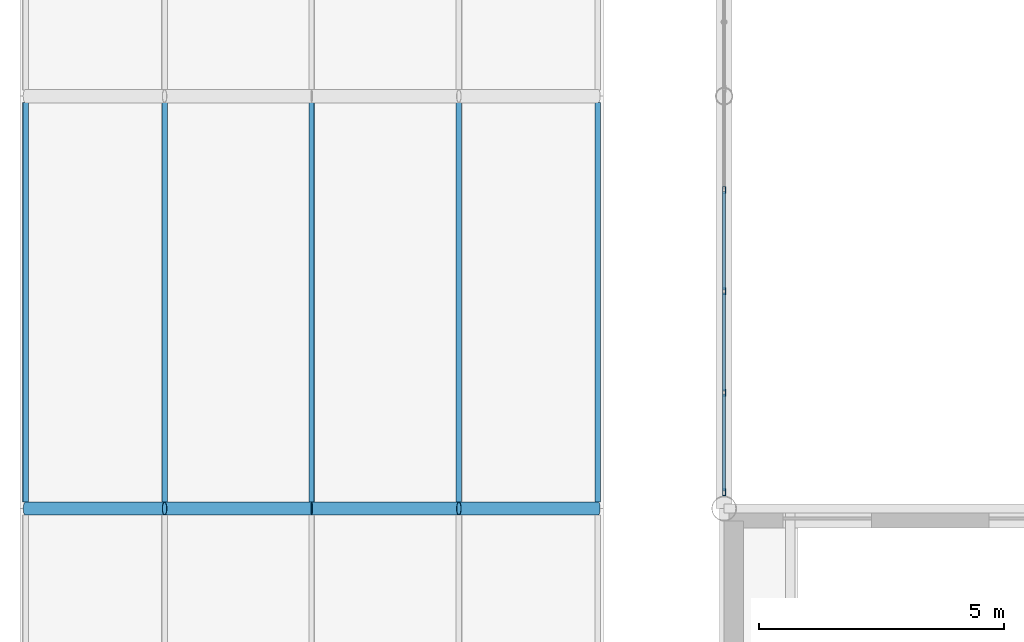
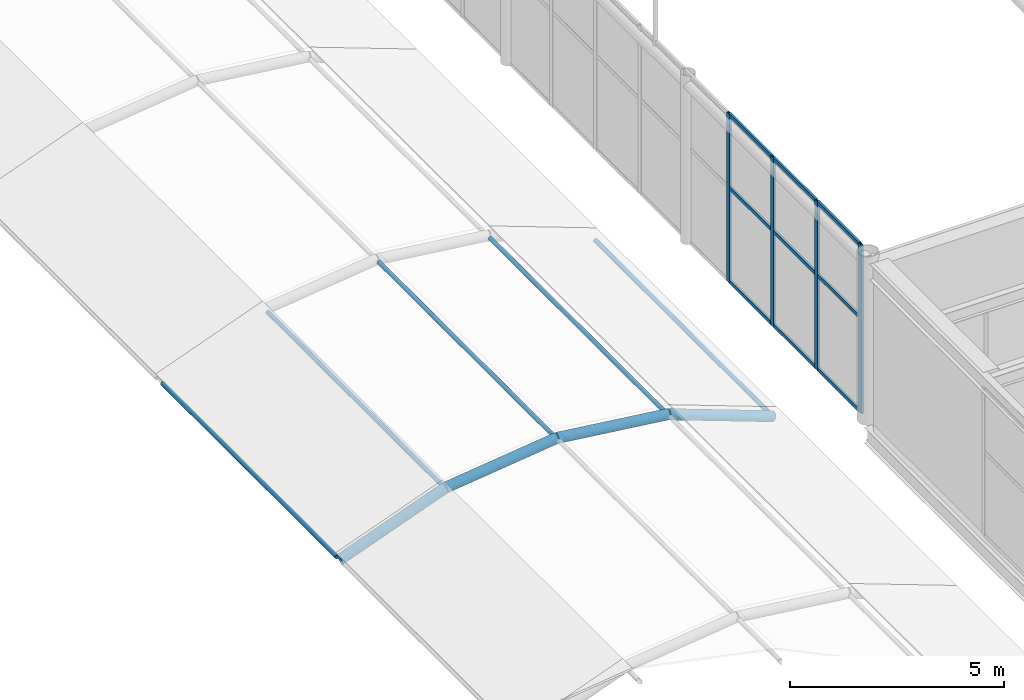
# One storey, part 56 of 167: 22 members, 1 element without a shape of its own.
"""IFC4 building model written with IfcOpenShell, lengths in metres."""

from ifc_helpers import new_model, si_unit, direction, frame, origin, origin_2d, place, context, subcontext, project, spatial, hollow_rectangle, hollow_circle, extrude, material, material_profile, profile_set, type_object, element, aggregate, save


model = new_model("IFC4")

# Units and contexts
model_context = context("Model", 3, precision=1e-05, world=origin(), true_north=direction((0.0, 1.0)))
body_context = subcontext(model_context, "Body", "Model", "MODEL_VIEW")
ifc_project = project(units=[si_unit("LENGTHUNIT", "METRE"), si_unit("AREAUNIT", "SQUARE_METRE"), si_unit("VOLUMEUNIT", "CUBIC_METRE"), si_unit("PLANEANGLEUNIT", "RADIAN"), si_unit("MASSUNIT", "GRAM", prefix="KILO")], contexts=[model_context])

# Site, building, storey
site_placement = place(None, origin())
site = spatial("IfcSite", under=ifc_project, at=site_placement, CompositionType="ELEMENT")
building_placement = place(site_placement, origin())
building = spatial("IfcBuilding", under=site, at=building_placement, Name="Catenary Quay Ferry Terminal", CompositionType="ELEMENT")
storey_placement = place(building_placement, frame((0.0, 0.0, 6.0)))
storey = spatial("IfcBuildingStorey", under=building, at=storey_placement, Name="L01", CompositionType="ELEMENT", Elevation=6.0)

# Curtain wall, members
ifc_material_1 = material(Name="Aluminium and glass", Category="aluminium")
curtain_wall_type = type_object("IfcCurtainWallType", Name="CWG", PredefinedType="NOTDEFINED", material=ifc_material_1)
curtain_wall_placement = place(storey_placement, origin())
curtain_wall = element("IfcCurtainWall", 1, at=curtain_wall_placement, inside=storey, type_object=curtain_wall_type, Name="Gable departure hall curtain wall CW16", PredefinedType="NOTDEFINED")
ifc_material_2 = material(Name="Aluminium", Category="aluminium")
ifc_material_profile_1 = material_profile(ifc_material_2, hollow_rectangle(XDim=0.06005859375, YDim=0.139892578125, WallThickness=0.006103515625, at=origin_2d()), Name="MU2")
ifc_profile_set_1 = profile_set([ifc_material_profile_1], Name="Aluminium")
member_type_1 = type_object("IfcMemberType", Name="MU2", PredefinedType="MULLION", material=ifc_profile_set_1)
member_1_placement = place(storey_placement, frame((25.199951171875, 109.530029296875, 0.0), z_axis=(0.0, 0.0, 1.0), x_axis=(-1.0, 0.0, 0.0)))
member_1 = element("IfcMember", 2, at=member_1_placement, type_object=member_type_1, Name="CW16 mullion 1", PredefinedType="MULLION", context=body_context, shape_type="SweptSolid", body=[
    extrude(hollow_rectangle(XDim=0.06005859375, YDim=0.139892578125, WallThickness=0.006103515625, at=origin_2d()), origin(), (0.0, 0.0, 1.0), 4.800048828125),
])
member_2_placement = place(storey_placement, frame((25.199951171875, 111.5625, 0.0), z_axis=(0.0, 0.0, 1.0), x_axis=(-1.0, 0.0, 0.0)))
member_2 = element("IfcMember", 3, at=member_2_placement, type_object=member_type_1, Name="CW16 mullion 2", PredefinedType="MULLION", context=body_context, shape_type="SweptSolid", body=[
    extrude(hollow_rectangle(XDim=0.06005859375, YDim=0.139892578125, WallThickness=0.006103515625, at=origin_2d()), origin(), (0.0, 0.0, 1.0), 4.800048828125),
])
member_3_placement = place(storey_placement, frame((25.199951171875, 113.625, 0.0), z_axis=(0.0, 0.0, 1.0), x_axis=(-1.0, 0.0, 0.0)))
member_3 = element("IfcMember", 4, at=member_3_placement, type_object=member_type_1, Name="CW16 mullion 3", PredefinedType="MULLION", context=body_context, shape_type="SweptSolid", body=[
    extrude(hollow_rectangle(XDim=0.06005859375, YDim=0.139892578125, WallThickness=0.006103515625, at=origin_2d()), origin(), (0.0, 0.0, 1.0), 4.800048828125),
])
member_4_placement = place(storey_placement, frame((25.199951171875, 115.6875, 0.0), z_axis=(0.0, 0.0, 1.0), x_axis=(-1.0, 0.0, 0.0)))
member_4 = element("IfcMember", 5, at=member_4_placement, type_object=member_type_1, Name="CW16 mullion 4", PredefinedType="MULLION", context=body_context, shape_type="SweptSolid", body=[
    extrude(hollow_rectangle(XDim=0.06005859375, YDim=0.139892578125, WallThickness=0.006103515625, at=origin_2d()), origin(), (0.0, 0.0, 1.0), 4.800048828125),
])

# Members
ifc_material_3 = material(Name="Steel S355", Category="steel")
ifc_material_profile_2 = material_profile(ifc_material_3, hollow_circle(Radius=0.05712890625, WallThickness=0.00634765625, at=origin_2d()), Name="CHS 114.3x6.3")
ifc_profile_set_2 = profile_set([ifc_material_profile_2], Name="Steel S355")
member_type_2 = type_object("IfcMemberType", Name="PU2 CHS 114.3x6.3", PredefinedType="PURLIN", material=ifc_profile_set_2)
for number, where, z_axis, x_axis, name in (
    (6, (10.970947265625, 109.330078125, 0.98388671875), (0.0, 1.0, 0.0), (-1.0, 0.0, 0.0), "Purlin PU-FC-06-01"),
    (7, (13.802978515625, 109.330078125, 2.031005859375), (0.0, 1.0, 0.0), (-1.0, 0.0, 0.0), "Purlin PU-FC-06-02"),
    (8, (16.800048828125, 109.330078125, 2.39990234375), (0.0, 1.0, 0.0), (-1.0, 0.0, 0.0), "Purlin PU-FC-06-03"),
    (9, (19.797119140625, 109.330078125, 2.031005859375), (0.0, 1.0, 0.0), (-1.0, 0.0, 0.0), "Purlin PU-FC-06-04"),
    (10, (22.62890625, 109.330078125, 0.98388671875), (0.0, 1.0, 0.0), (-1.0, 0.0, 0.0), "Purlin PU-FC-06-05"),
):
    element("IfcMember", number, at=place(storey_placement, frame(where, z_axis=z_axis, x_axis=x_axis)), inside=storey, type_object=member_type_2, Name=name, PredefinedType="PURLIN", context=body_context, shape_type="SweptSolid", body=[
        extrude(hollow_circle(Radius=0.05712890625, WallThickness=0.00634765625, at=origin_2d()), origin(), (0.0, 0.0, 1.0), 8.139892578125),
    ])

# Member
ifc_material_4 = material(Name="Aluminium", Category="aluminium")
ifc_material_profile_3 = material_profile(ifc_material_4, hollow_rectangle(XDim=0.06005859375, YDim=0.10009765625, WallThickness=0.0048828125, at=origin_2d()), Name="TR2")
ifc_profile_set_3 = profile_set([ifc_material_profile_3], Name="Aluminium")
member_type_3 = type_object("IfcMemberType", Name="TR2", PredefinedType="USERDEFINED", material=ifc_profile_set_3)
member_5_placement = place(storey_placement, frame((25.199951171875, 109.56005859375, 0.030029296875), z_axis=(0.0, 1.0, 0.0), x_axis=(-1.0, 0.0, 0.0)))
member_5 = element("IfcMember", 11, at=member_5_placement, type_object=member_type_3, Name="CW16 transom 1.1", ObjectType="TRANSOM", PredefinedType="USERDEFINED", context=body_context, shape_type="SweptSolid", body=[
    extrude(hollow_rectangle(XDim=0.06005859375, YDim=0.10009765625, WallThickness=0.0048828125, at=origin_2d()), origin(), (0.0, 0.0, 1.0), 1.972412109375),
])

member_6_placement = place(storey_placement, frame((25.199951171875, 109.56005859375, 2.699951171875), z_axis=(0.0, 1.0, 0.0), x_axis=(-1.0, 0.0, 0.0)))
member_6 = element("IfcMember", 12, at=member_6_placement, type_object=member_type_3, Name="CW16 transom 1.2", ObjectType="TRANSOM", PredefinedType="USERDEFINED", context=body_context, shape_type="SweptSolid", body=[
    extrude(hollow_rectangle(XDim=0.06005859375, YDim=0.10009765625, WallThickness=0.0048828125, at=origin_2d()), origin(), (0.0, 0.0, 1.0), 1.972412109375),
])

member_7_placement = place(storey_placement, frame((25.199951171875, 109.56005859375, 4.77001953125), z_axis=(0.0, 1.0, 0.0), x_axis=(-1.0, 0.0, 0.0)))
member_7 = element("IfcMember", 13, at=member_7_placement, type_object=member_type_3, Name="CW16 transom 1.3", ObjectType="TRANSOM", PredefinedType="USERDEFINED", context=body_context, shape_type="SweptSolid", body=[
    extrude(hollow_rectangle(XDim=0.06005859375, YDim=0.10009765625, WallThickness=0.0048828125, at=origin_2d()), origin(), (0.0, 0.0, 1.0), 1.972412109375),
])

member_8_placement = place(storey_placement, frame((25.199951171875, 111.592529296875, 0.030029296875), z_axis=(0.0, 1.0, 0.0), x_axis=(-1.0, 0.0, 0.0)))
member_8 = element("IfcMember", 14, at=member_8_placement, type_object=member_type_3, Name="CW16 transom 2.1", ObjectType="TRANSOM", PredefinedType="USERDEFINED", context=body_context, shape_type="SweptSolid", body=[
    extrude(hollow_rectangle(XDim=0.06005859375, YDim=0.10009765625, WallThickness=0.0048828125, at=origin_2d()), origin(), (0.0, 0.0, 1.0), 2.00244140625),
])

member_9_placement = place(storey_placement, frame((25.199951171875, 111.592529296875, 2.699951171875), z_axis=(0.0, 1.0, 0.0), x_axis=(-1.0, 0.0, 0.0)))
member_9 = element("IfcMember", 15, at=member_9_placement, type_object=member_type_3, Name="CW16 transom 2.2", ObjectType="TRANSOM", PredefinedType="USERDEFINED", context=body_context, shape_type="SweptSolid", body=[
    extrude(hollow_rectangle(XDim=0.06005859375, YDim=0.10009765625, WallThickness=0.0048828125, at=origin_2d()), origin(), (0.0, 0.0, 1.0), 2.00244140625),
])

member_10_placement = place(storey_placement, frame((25.199951171875, 111.592529296875, 4.77001953125), z_axis=(0.0, 1.0, 0.0), x_axis=(-1.0, 0.0, 0.0)))
member_10 = element("IfcMember", 16, at=member_10_placement, type_object=member_type_3, Name="CW16 transom 2.3", ObjectType="TRANSOM", PredefinedType="USERDEFINED", context=body_context, shape_type="SweptSolid", body=[
    extrude(hollow_rectangle(XDim=0.06005859375, YDim=0.10009765625, WallThickness=0.0048828125, at=origin_2d()), origin(), (0.0, 0.0, 1.0), 2.00244140625),
])

member_11_placement = place(storey_placement, frame((25.199951171875, 113.655029296875, 0.030029296875), z_axis=(0.0, 1.0, 0.0), x_axis=(-1.0, 0.0, 0.0)))
member_11 = element("IfcMember", 17, at=member_11_placement, type_object=member_type_3, Name="CW16 transom 3.1", ObjectType="TRANSOM", PredefinedType="USERDEFINED", context=body_context, shape_type="SweptSolid", body=[
    extrude(hollow_rectangle(XDim=0.06005859375, YDim=0.10009765625, WallThickness=0.0048828125, at=origin_2d()), origin(), (0.0, 0.0, 1.0), 2.00244140625),
])

member_12_placement = place(storey_placement, frame((25.199951171875, 113.655029296875, 2.699951171875), z_axis=(0.0, 1.0, 0.0), x_axis=(-1.0, 0.0, 0.0)))
member_12 = element("IfcMember", 18, at=member_12_placement, type_object=member_type_3, Name="CW16 transom 3.2", ObjectType="TRANSOM", PredefinedType="USERDEFINED", context=body_context, shape_type="SweptSolid", body=[
    extrude(hollow_rectangle(XDim=0.06005859375, YDim=0.10009765625, WallThickness=0.0048828125, at=origin_2d()), origin(), (0.0, 0.0, 1.0), 2.00244140625),
])

member_13_placement = place(storey_placement, frame((25.199951171875, 113.655029296875, 4.77001953125), z_axis=(0.0, 1.0, 0.0), x_axis=(-1.0, 0.0, 0.0)))
member_13 = element("IfcMember", 19, at=member_13_placement, type_object=member_type_3, Name="CW16 transom 3.3", ObjectType="TRANSOM", PredefinedType="USERDEFINED", context=body_context, shape_type="SweptSolid", body=[
    extrude(hollow_rectangle(XDim=0.06005859375, YDim=0.10009765625, WallThickness=0.0048828125, at=origin_2d()), origin(), (0.0, 0.0, 1.0), 2.00244140625),
])

aggregate(curtain_wall, [member_1, member_2, member_3, member_4, member_5, member_6, member_7, member_8, member_9, member_10, member_11, member_12, member_13])

# Members
ifc_material_5 = material(Name="Steel S355", Category="steel")
ifc_material_profile_4 = material_profile(ifc_material_5, hollow_circle(Radius=0.136474609375, WallThickness=0.012451171875, at=origin_2d()), Name="CHS 273x12.5")
ifc_profile_set_4 = profile_set([ifc_material_profile_4], Name="Steel S355")
member_type_4 = type_object("IfcMemberType", Name="VR2 CHS 273x12.5", PredefinedType="RAFTER", material=ifc_profile_set_4)
member_14_placement = place(storey_placement, frame((10.970947265625, 109.199951171875, 0.98388671875), z_axis=(0.937940762231, 0.0, 0.346795511139), x_axis=(0.0, 1.0, 0.0)))
element("IfcMember", 20, at=member_14_placement, inside=storey, type_object=member_type_4, Name="rib FC-06-02", PredefinedType="RAFTER", context=body_context, shape_type="SweptSolid", body=[
    extrude(hollow_circle(Radius=0.136474609375, WallThickness=0.012451171875, at=origin_2d()), origin(), (0.0, 0.0, 1.0), 3.01953125),
])
for number, where, z_axis, x_axis, name in (
    (21, (13.802978515625, 109.199951171875, 2.031005859375), (0.992509955251, 0.0, 0.122163778298), (0.0, 1.0, 0.0), "rib FC-06-03"),
    (22, (16.800048828125, 109.199951171875, 2.39990234375), (0.992509955251, 0.0, -0.122163778298), (0.0, 1.0, 0.0), "rib FC-06-04"),
):
    element("IfcMember", number, at=place(storey_placement, frame(where, z_axis=z_axis, x_axis=x_axis)), inside=storey, type_object=member_type_4, Name=name, PredefinedType="RAFTER", context=body_context, shape_type="SweptSolid", body=[
        extrude(hollow_circle(Radius=0.136474609375, WallThickness=0.012451171875, at=origin_2d()), origin(), (0.0, 0.0, 1.0), 3.019775390625),
    ])
member_15_placement = place(storey_placement, frame((19.797119140625, 109.199951171875, 2.031005859375), z_axis=(0.93793103669, 0.0, -0.346821813636), x_axis=(0.0, 1.0, 0.0)))
element("IfcMember", 23, at=member_15_placement, inside=storey, type_object=member_type_4, Name="rib FC-06-05", PredefinedType="RAFTER", context=body_context, shape_type="SweptSolid", body=[
    extrude(hollow_circle(Radius=0.136474609375, WallThickness=0.012451171875, at=origin_2d()), origin(), (0.0, 0.0, 1.0), 3.019287109375),
])

save(model, "model.ifc")
